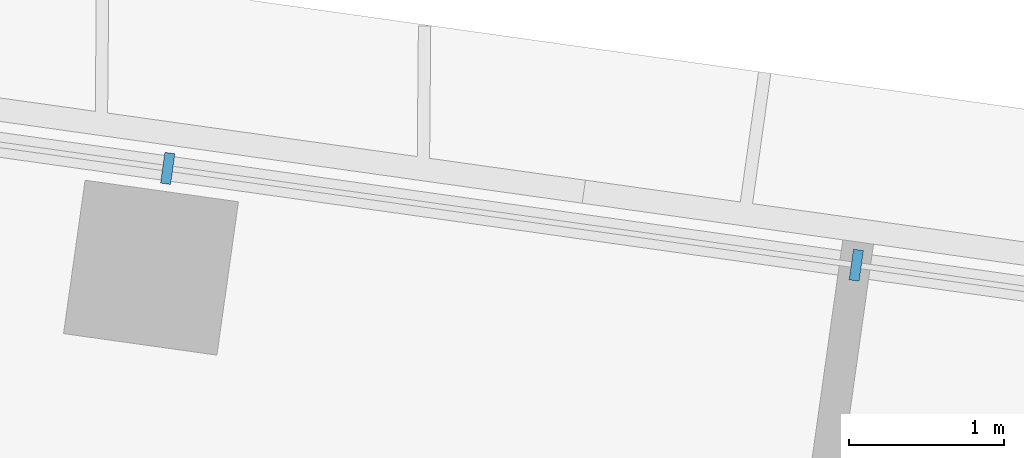
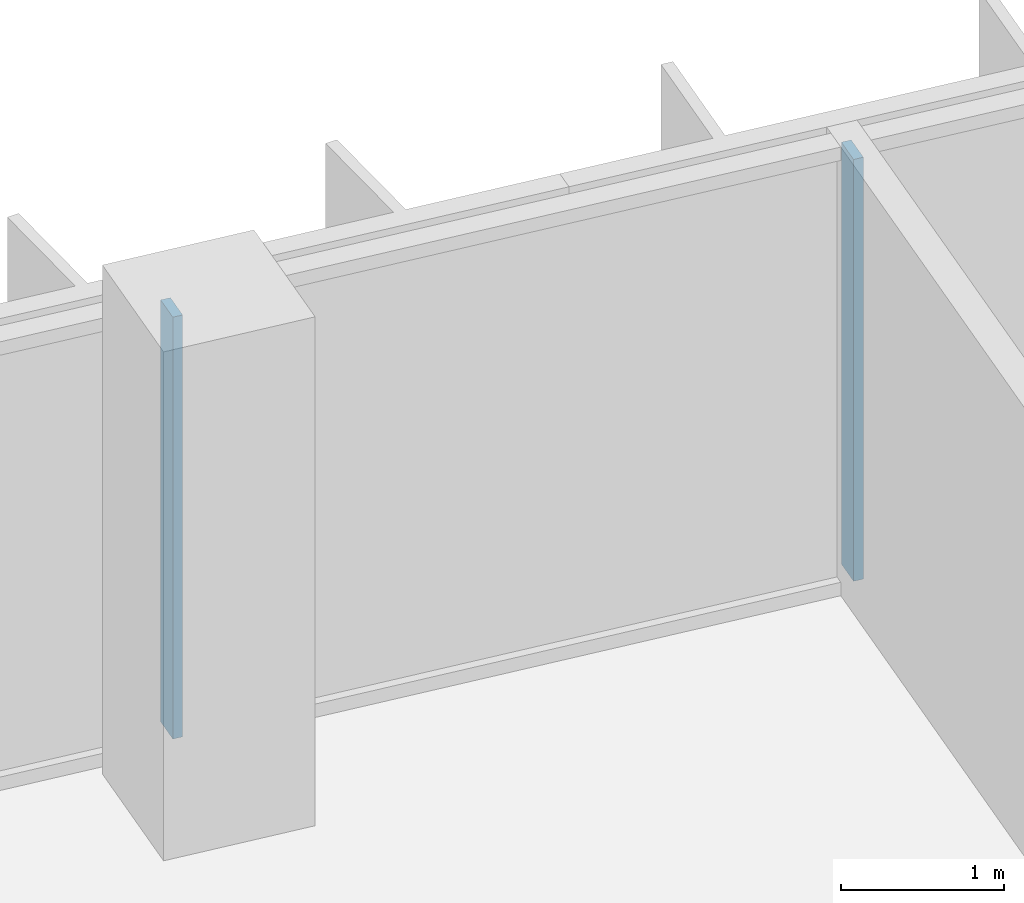
# One storey, part 3 of 24: 2 members, 1 element without a shape of its own.
"""IFC4 building model written with IfcOpenShell, lengths in metres."""

from ifc_helpers import new_model, si_unit, direction, frame, origin, origin_2d, place, context, subcontext, project, spatial, rectangle, extrude, material, material_profile, profile_set, type_object, element, aggregate, save


model = new_model("IFC4")

# Units and contexts
model_context = context("Model", 3, precision=1e-05, world=origin(), true_north=direction((0.0, 1.0)))
body_context = subcontext(model_context, "Body", "Model", "MODEL_VIEW")
ifc_project = project(units=[si_unit("LENGTHUNIT", "METRE"), si_unit("AREAUNIT", "SQUARE_METRE"), si_unit("VOLUMEUNIT", "CUBIC_METRE"), si_unit("PLANEANGLEUNIT", "RADIAN"), si_unit("MASSUNIT", "GRAM", prefix="KILO")], contexts=[model_context])

# Site, building, storey
site_placement = place(None, origin())
site = spatial("IfcSite", under=ifc_project, at=site_placement, CompositionType="ELEMENT")
building_placement = place(site_placement, origin())
building = spatial("IfcBuilding", under=site, at=building_placement, Name="Mirante Cascada Hotel Towers", CompositionType="ELEMENT")
storey_placement = place(building_placement, frame((0.0, 0.0, 50.9)))
storey = spatial("IfcBuildingStorey", under=building, at=storey_placement, Name="L09", CompositionType="ELEMENT", Elevation=50.9)

# Curtain wall, members
ifc_material_1 = material(Name="Aluminium mullion and transom frame with clear laminated glass", Category="aluminium")
curtain_wall_type = type_object("IfcCurtainWallType", Name="Ribbon curtain wall ECW1", PredefinedType="NOTDEFINED", material=ifc_material_1)
curtain_wall_placement = place(storey_placement, origin())
curtain_wall = element("IfcCurtainWall", 1, at=curtain_wall_placement, inside=storey, type_object=curtain_wall_type, Name="Front ribbon wall T1 L09", PredefinedType="NOTDEFINED")
ifc_material_2 = material(Name="Anodised aluminium extrusion", Category="aluminium")
ifc_material_profile = material_profile(ifc_material_2, rectangle(XDim=0.2, YDim=0.065, at=origin_2d()), Name="ECW1 MULLION 65x200")
ifc_profile_set = profile_set([ifc_material_profile], Name="Anodised aluminium extrusion")
member_type = type_object("IfcMemberType", Name="ECW1 mullion 65x200", PredefinedType="MULLION", material=ifc_profile_set)
member_1_placement = place(storey_placement, frame((-71.9211, 22.9269, 0.1), z_axis=(0.0, 0.0, 1.0), x_axis=(0.1391731, 0.9902681, 0.0)))
member_1 = element("IfcMember", 2, at=member_1_placement, type_object=member_type, Name="ECW1 mullion 6", PredefinedType="MULLION", context=body_context, shape_type="SweptSolid", body=[
    extrude(rectangle(XDim=0.2, YDim=0.065, at=origin_2d()), origin(), (0.0, 0.0, 1.0), 3.15),
])
member_2_placement = place(storey_placement, frame((-67.4737, 22.3018, 0.1), z_axis=(0.0, 0.0, 1.0), x_axis=(0.1391731, 0.9902681, 0.0)))
member_2 = element("IfcMember", 3, at=member_2_placement, type_object=member_type, Name="ECW1 mullion 7", PredefinedType="MULLION", context=body_context, shape_type="SweptSolid", body=[
    extrude(rectangle(XDim=0.2, YDim=0.065, at=origin_2d()), origin(), (0.0, 0.0, 1.0), 3.15),
])
aggregate(curtain_wall, [member_1, member_2])

save(model, "model.ifc")
